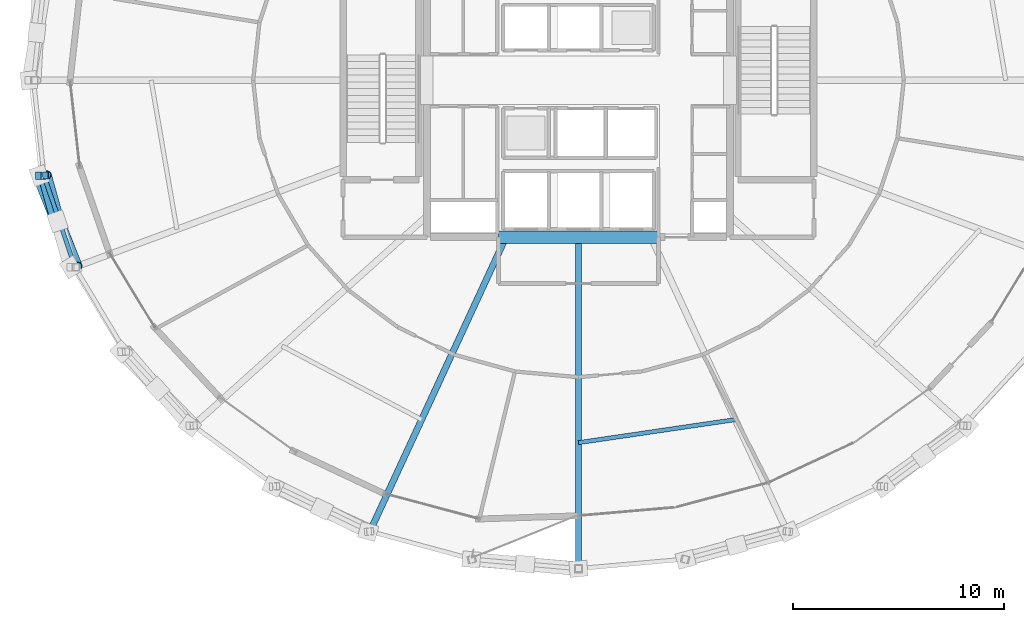
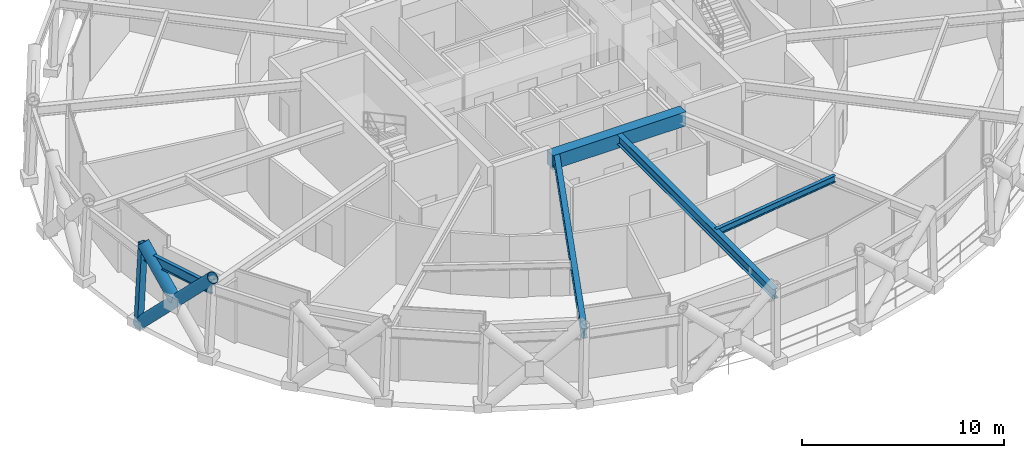
# One storey, part 5 of 29: 5 beams, 3 members.
"""IFC4 building model written with IfcOpenShell, lengths in metres."""

from ifc_helpers import new_model, si_unit, direction, frame, origin, origin_2d, place, context, subcontext, project, spatial, rectangle, hollow_rectangle, hollow_circle, i_section, extrude, material, material_profile, profile_set, type_object, element, save


model = new_model("IFC4")

# Units and contexts
model_context = context("Model", 3, precision=1e-05, world=origin(), true_north=direction((0.0, 1.0)))
body_context = subcontext(model_context, "Body", "Model", "MODEL_VIEW")
ifc_project = project(units=[si_unit("LENGTHUNIT", "METRE"), si_unit("AREAUNIT", "SQUARE_METRE"), si_unit("VOLUMEUNIT", "CUBIC_METRE"), si_unit("PLANEANGLEUNIT", "RADIAN"), si_unit("MASSUNIT", "GRAM", prefix="KILO")], contexts=[model_context])

# Site, building, storey
site_placement = place(None, origin())
site = spatial("IfcSite", under=ifc_project, at=site_placement, CompositionType="ELEMENT")
building_placement = place(site_placement, origin())
building = spatial("IfcBuilding", under=site, at=building_placement, Name="Veldorina Hangang Commons", CompositionType="ELEMENT")
storey_placement = place(building_placement, frame((0.0, 0.0, 203.60009765625)))
storey = spatial("IfcBuildingStorey", under=building, at=storey_placement, Name="L53", CompositionType="ELEMENT", Elevation=203.60009765625)

# Beams
ifc_material_1 = material(Name="Concrete C60/75", Category="concrete")
ifc_material_profile_1 = material_profile(ifc_material_1, rectangle(XDim=0.60009765625, YDim=0.85009765625, at=origin_2d()), Name="RC-CB-600x850")
ifc_profile_set_1 = profile_set([ifc_material_profile_1], Name="Concrete C60/75")
beam_type_1 = type_object("IfcBeamType", Name="BM-CB850", PredefinedType="LINTEL", material=ifc_profile_set_1)
beam_1_placement = place(storey_placement, frame((28.199951171875, 16.550048828125, 4.014892578125), z_axis=(1.0, 0.0, 0.0), x_axis=(0.0, 1.0, 0.0)))
element("IfcBeam", 1, at=beam_1_placement, inside=storey, type_object=beam_type_1, Name="L53 south core coupling beam", PredefinedType="LINTEL", context=body_context, shape_type="SweptSolid", body=[
    extrude(rectangle(XDim=0.60009765625, YDim=0.85009765625, at=origin_2d()), origin(), (0.0, 0.0, 1.0), 7.60009765625),
])
ifc_material_2 = material(Name="Steel SM460-TMC", Category="steel")
ifc_material_profile_2 = material_profile(ifc_material_2, i_section(OverallWidth=0.300048828125, OverallDepth=0.587890625, WebThickness=0.011962890625, FlangeThickness=0.02001953125, FilletRadius=0.01806640625, at=origin_2d()), Name="H-588x300x12x20")
ifc_profile_set_2 = profile_set([ifc_material_profile_2], Name="Steel SM460-TMC")
beam_type_2 = type_object("IfcBeamType", Name="BM-FG588", PredefinedType="BEAM", material=ifc_profile_set_2)
beam_2_placement = place(storey_placement, frame((28.555908203125, 16.550048828125, 4.14599609375), z_axis=(-0.419619133377, -0.907700271512, 0.0), x_axis=(0.907700271512, -0.419619133377, 0.0)))
element("IfcBeam", 2, at=beam_2_placement, inside=storey, type_object=beam_type_2, Name="L53 radial floor girder 12", PredefinedType="BEAM", context=body_context, shape_type="SweptSolid", body=[
    extrude(i_section(OverallWidth=0.300048828125, OverallDepth=0.587890625, WebThickness=0.011962890625, FlangeThickness=0.02001953125, FilletRadius=0.01806640625, at=origin_2d()), origin(), (0.0, 0.0, 1.0), 15.398193359375),
])
beam_3_placement = place(storey_placement, frame((32.0, 16.550048828125, 4.14599609375), z_axis=(0.0, -1.0, 0.0), x_axis=(1.0, 0.0, 0.0)))
element("IfcBeam", 3, at=beam_3_placement, inside=storey, type_object=beam_type_2, Name="L53 radial floor girder 13", PredefinedType="BEAM", context=body_context, shape_type="SweptSolid", body=[
    extrude(i_section(OverallWidth=0.300048828125, OverallDepth=0.587890625, WebThickness=0.011962890625, FlangeThickness=0.02001953125, FilletRadius=0.01806640625, at=origin_2d()), origin(), (0.0, 0.0, 1.0), 15.74267578125),
])
ifc_material_3 = material(Name="Steel SM355-TMC", Category="steel")
ifc_material_profile_3 = material_profile(ifc_material_3, i_section(OverallWidth=0.199951171875, OverallDepth=0.39990234375, WebThickness=0.008056640625, FlangeThickness=0.012939453125, FilletRadius=0.012939453125, at=origin_2d()), Name="H-400x200x8x13")
ifc_profile_set_3 = profile_set([ifc_material_profile_3], Name="Steel SM355-TMC")
beam_type_3 = type_object("IfcBeamType", Name="BM-JST400", PredefinedType="JOIST", material=ifc_profile_set_3)
beam_4_placement = place(storey_placement, frame((32.0, 6.78955078125, 4.239990234375), z_axis=(0.989376149225, 0.145378249218, 0.0), x_axis=(-0.145378249218, 0.989376149225, 0.0)))
element("IfcBeam", 4, at=beam_4_placement, inside=storey, type_object=beam_type_3, Name="L53 secondary floor joist 13", PredefinedType="JOIST", context=body_context, shape_type="SweptSolid", body=[
    extrude(i_section(OverallWidth=0.199951171875, OverallDepth=0.39990234375, WebThickness=0.008056640625, FlangeThickness=0.012939453125, FilletRadius=0.012939453125, at=origin_2d()), origin(), (0.0, 0.0, 1.0), 7.5302734375),
])
ifc_material_4 = material(Name="Steel SM420-TMC", Category="steel")
ifc_material_profile_4 = material_profile(ifc_material_4, i_section(OverallWidth=0.199951171875, OverallDepth=0.60009765625, WebThickness=0.010986328125, FlangeThickness=0.01708984375, FilletRadius=0.01806640625, at=origin_2d()), Name="H-600x200x11x17")
ifc_profile_set_4 = profile_set([ifc_material_profile_4], Name="Steel SM420-TMC")
beam_type_4 = type_object("IfcBeamType", Name="BM-RB600", PredefinedType="BEAM", material=ifc_profile_set_4)
beam_5_placement = place(storey_placement, frame((6.61279296875, 19.475341796875, 4.139892578125), z_axis=(0.320704751369, -0.947179213481, 0.0), x_axis=(0.947179213481, 0.320704751369, 0.0)))
element("IfcBeam", 5, at=beam_5_placement, inside=storey, type_object=beam_type_4, Name="L53 perimeter hoop ring beam 17", PredefinedType="BEAM", context=body_context, shape_type="SweptSolid", body=[
    extrude(i_section(OverallWidth=0.199951171875, OverallDepth=0.60009765625, WebThickness=0.010986328125, FlangeThickness=0.01708984375, FilletRadius=0.01806640625, at=origin_2d()), origin(), (0.0, 0.0, 1.0), 4.593505859375),
])

# Members
ifc_material_profile_5 = material_profile(ifc_material_2, hollow_circle(Radius=0.324951171875, WallThickness=0.031982421875, at=origin_2d()), Name="CHS-650x32")
ifc_profile_set_5 = profile_set([ifc_material_profile_5], Name="Steel SM460-TMC")
member_type_1 = type_object("IfcMemberType", Name="DG-CHS650", PredefinedType="BRACE", material=ifc_profile_set_5)
member_1_placement = place(storey_placement, frame((6.3955078125, 19.473388671875, 0.0), z_axis=(0.257083827685, -0.648811530547, 0.716206327375), x_axis=(0.92967779022, 0.368373731925, 0.0)))
element("IfcMember", 6, at=member_1_placement, inside=storey, type_object=member_type_1, Name="L53 continuous perimeter diagrid brace 17", PredefinedType="BRACE", context=body_context, shape_type="SweptSolid", body=[
    extrude(hollow_circle(Radius=0.324951171875, WallThickness=0.031982421875, at=origin_2d()), origin(), (0.0, 0.0, 1.0), 6.70166015625),
])
member_2_placement = place(storey_placement, frame((7.257568359375, 17.297607421875, 2.401611328125), z_axis=(-0.185075282075, 0.660686911321, 0.727488793847), x_axis=(-0.962932624113, -0.269742027537, 0.0)))
element("IfcMember", 7, at=member_2_placement, inside=storey, type_object=member_type_1, Name="L53 split perimeter diagrid upper brace 18", PredefinedType="BRACE", context=body_context, shape_type="SweptSolid", body=[
    extrude(hollow_circle(Radius=0.324951171875, WallThickness=0.031982421875, at=origin_2d()), origin(), (0.0, 0.0, 1.0), 3.296630859375),
])
ifc_material_profile_6 = material_profile(ifc_material_3, hollow_rectangle(XDim=0.35009765625, YDim=0.35009765625, WallThickness=0.01611328125, at=origin_2d()), Name="SHS-350x350x16")
ifc_profile_set_6 = profile_set([ifc_material_profile_6], Name="Steel SM355-TMC")
member_type_2 = type_object("IfcMemberType", Name="STR-SHS350", PredefinedType="STRUT", material=ifc_profile_set_6)
member_3_placement = place(storey_placement, frame((6.3955078125, 19.473388671875, 0.0), z_axis=(0.052420193908, 0.000457152854, 0.998625011845), x_axis=(-0.008720598618, 0.999961974857, 0.0)))
element("IfcMember", 8, at=member_3_placement, inside=storey, type_object=member_type_2, Name="L53 perimeter ring node post 17", PredefinedType="STRUT", context=body_context, shape_type="SweptSolid", body=[
    extrude(hollow_rectangle(XDim=0.35009765625, YDim=0.35009765625, WallThickness=0.01611328125, at=origin_2d()), origin(), (0.0, 0.0, 1.0), 4.806396484375),
])

save(model, "model.ifc")
